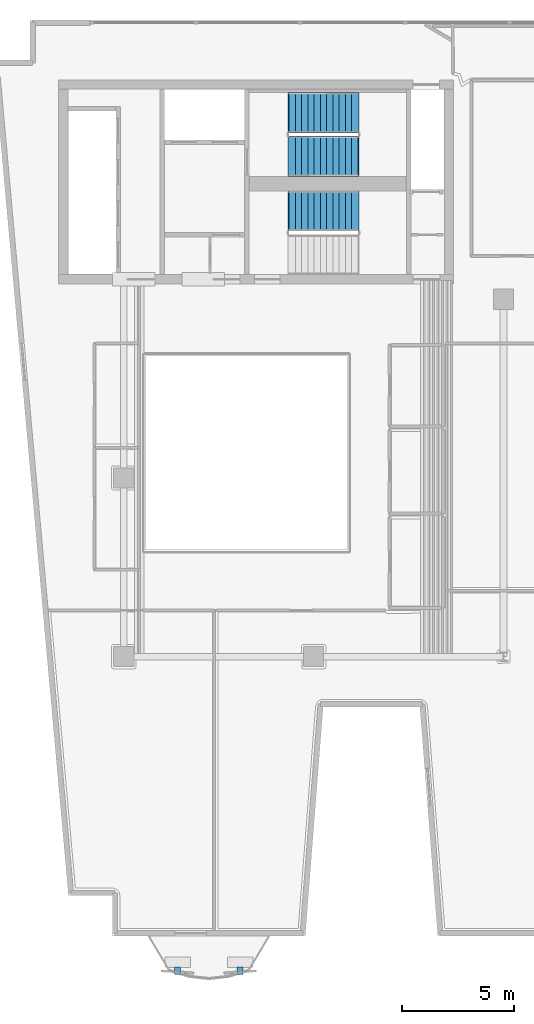
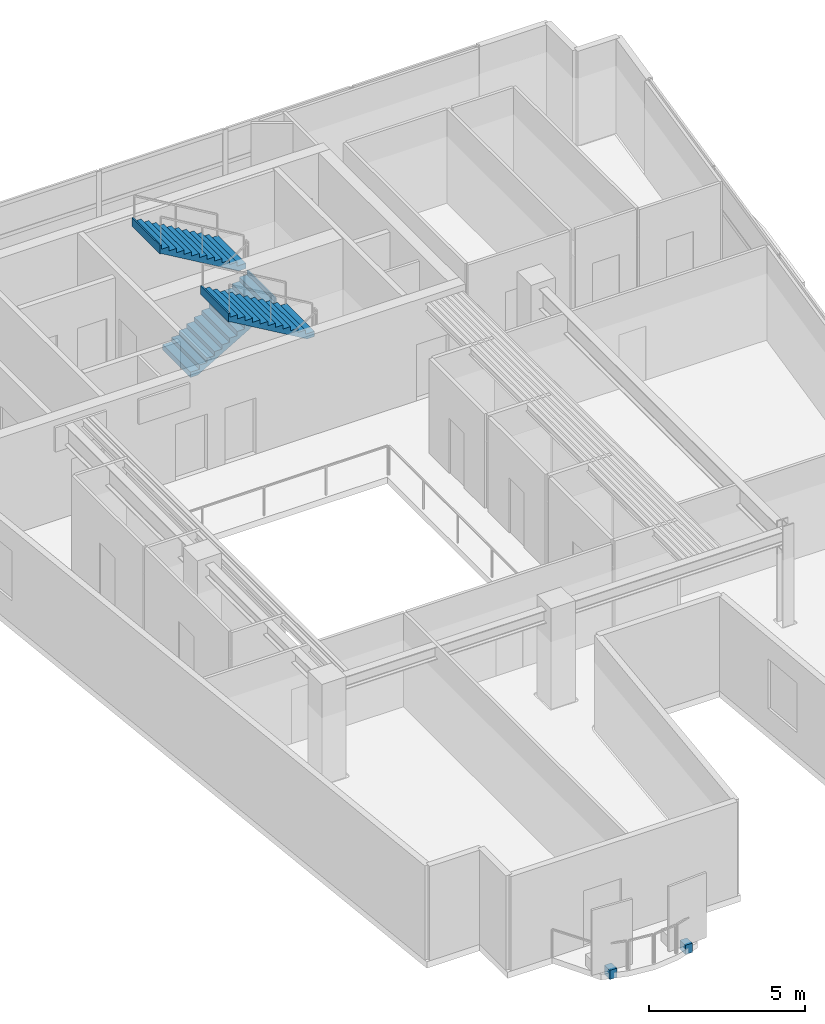
# One storey, part 6 of 8: 3 stair flights, 2 discrete accessories, 2 elements without a shape of their own.
"""IFC4 building model written with IfcOpenShell, lengths in metres."""

from ifc_helpers import new_model, si_unit, direction, frame, origin, origin_2d, place, context, subcontext, project, spatial, polyline, rectangle, outline, extrude, material, type_object, element, aggregate, save


model = new_model("IFC4")

# Units and contexts
model_context = context("Model", 3, precision=1e-05, world=origin(), true_north=direction((0.0, 1.0)))
body_context = subcontext(model_context, "Body", "Model", "MODEL_VIEW")
ifc_project = project(units=[si_unit("LENGTHUNIT", "METRE"), si_unit("AREAUNIT", "SQUARE_METRE"), si_unit("VOLUMEUNIT", "CUBIC_METRE"), si_unit("PLANEANGLEUNIT", "RADIAN"), si_unit("MASSUNIT", "GRAM", prefix="KILO")], contexts=[model_context])

# Site, building, storey
site_placement = place(None, origin())
site = spatial("IfcSite", under=ifc_project, at=site_placement, CompositionType="ELEMENT")
building_placement = place(site_placement, origin())
building = spatial("IfcBuilding", under=site, at=building_placement, Name="Caeloran Harvest Quay", CompositionType="ELEMENT")
storey_placement = place(building_placement, frame((0.0, 0.0, 256.699951171875)))
storey = spatial("IfcBuildingStorey", under=building, at=storey_placement, Name="L61", CompositionType="ELEMENT", Elevation=256.699951171875)

# Stair, stair flights
ifc_material_1 = material(Name="Concrete C50/60", Category="concrete")
stair_type = type_object("IfcStairType", Name="STAIR-STC-180", PredefinedType="HALF_TURN_STAIR", material=ifc_material_1)
stair_1_placement = place(storey_placement, origin())
stair_1 = element("IfcStair", 1, at=stair_1_placement, inside=storey, type_object=stair_type, Name="L61 Core Pressurized Exit Stair ST-C1", PredefinedType="HALF_TURN_STAIR")
stair_flight_type = type_object("IfcStairFlightType", Name="FLIGHT-STC-180", PredefinedType="STRAIGHT", material=ifc_material_1)
stair_flight_1_placement = place(storey_placement, frame((15.89990234375, 37.39990234375, 0.0), z_axis=(0.0, 0.0, 1.0), x_axis=(1.0, 0.0, 0.0)))
stair_flight_1 = element("IfcStairFlight", 2, at=stair_flight_1_placement, type_object=stair_flight_type, Name="ST-C1 flight 1", NumberOfRisers=12, NumberOfTreads=11, PredefinedType="STRAIGHT", RiserHeight=0.164583333, TreadLength=0.28, context=body_context, shape_type="SweptSolid", body=[
    extrude(outline(polyline([(-0.054931640625, -0.044921875), (-0.054931640625, -0.031982421875), (-0.054931640625, -0.018798828125), (-0.054931640625, -0.005615234375), (-0.054931640625, 0.00732421875), (-0.054931640625, 0.0205078125), (-0.054931640625, 0.03369140625), (-0.054931640625, 0.046630859375), (-0.054931640625, 0.059814453125), (-0.054931640625, 0.072998046875), (-0.054931640625, 0.0859375), (-0.054931640625, 0.09912109375), (-0.054931640625, 0.1123046875), (-0.054931640625, 0.125244140625), (-0.054931640625, 0.138427734375), (-0.054931640625, 0.1513671875), (-0.054931640625, 0.16455078125), (0.280029296875, 0.16455078125), (0.280029296875, 0.3291015625), (0.56005859375, 0.3291015625), (0.56005859375, 0.49365234375), (0.840087890625, 0.49365234375), (0.840087890625, 0.658447265625), (1.1201171875, 0.658447265625), (1.1201171875, 0.822998046875), (1.39990234375, 0.822998046875), (1.39990234375, 0.987548828125), (1.679931640625, 0.987548828125), (1.679931640625, 1.152099609375), (1.9599609375, 1.152099609375), (1.9599609375, 1.316650390625), (2.239990234375, 1.316650390625), (2.239990234375, 1.481201171875), (2.52001953125, 1.481201171875), (2.52001953125, 1.645751953125), (2.800048828125, 1.645751953125), (2.800048828125, 1.810302734375), (3.080078125, 1.810302734375), (3.080078125, 1.97509765625), (3.135009765625, 1.97509765625), (3.135009765625, 1.953857421875), (3.135009765625, 1.9326171875), (3.135009765625, 1.91162109375), (3.135009765625, 1.890380859375), (3.135009765625, 1.869140625), (3.135009765625, 1.84814453125), (3.135009765625, 1.826904296875), (3.135009765625, 1.8056640625), (3.135009765625, 1.78466796875), (3.135009765625, 1.763427734375), (3.135009765625, 1.7421875), (3.135009765625, 1.72119140625), (3.135009765625, 1.699951171875), (3.135009765625, 1.678955078125), (3.135009765625, 1.65771484375), (3.135009765625, 1.636474609375), (3.080078125, 1.636474609375), (0.21923828125, -0.044921875), (-0.054931640625, -0.044921875)])), frame((0.0, 0.89990234375, 0.0), z_axis=(0.0, -1.0, 0.0), x_axis=(1.0, 0.0, 0.0)), (0.0, 0.0, 1.0), 1.800048828125),
])
stair_flight_2_placement = place(storey_placement, frame((18.97998046875, 39.35009765625, 1.97509765625), z_axis=(0.0, 0.0, 1.0), x_axis=(-1.0, 0.0, 0.0)))
stair_flight_2 = element("IfcStairFlight", 3, at=stair_flight_2_placement, type_object=stair_flight_type, Name="ST-C1 flight 2", NumberOfRisers=12, NumberOfTreads=11, PredefinedType="STRAIGHT", RiserHeight=0.164583333, TreadLength=0.28, context=body_context, shape_type="SweptSolid", body=[
    extrude(outline(polyline([(-0.054931640625, -0.044921875), (-0.054931640625, -0.031982421875), (-0.054931640625, -0.018798828125), (-0.054931640625, -0.005615234375), (-0.054931640625, 0.00732421875), (-0.054931640625, 0.0205078125), (-0.054931640625, 0.03369140625), (-0.054931640625, 0.046630859375), (-0.054931640625, 0.059814453125), (-0.054931640625, 0.072998046875), (-0.054931640625, 0.0859375), (-0.054931640625, 0.09912109375), (-0.054931640625, 0.1123046875), (-0.054931640625, 0.125244140625), (-0.054931640625, 0.138427734375), (-0.054931640625, 0.1513671875), (-0.054931640625, 0.16455078125), (0.280029296875, 0.16455078125), (0.280029296875, 0.3291015625), (0.56005859375, 0.3291015625), (0.56005859375, 0.49365234375), (0.840087890625, 0.49365234375), (0.840087890625, 0.658447265625), (1.1201171875, 0.658447265625), (1.1201171875, 0.822998046875), (1.39990234375, 0.822998046875), (1.39990234375, 0.987548828125), (1.679931640625, 0.987548828125), (1.679931640625, 1.152099609375), (1.9599609375, 1.152099609375), (1.9599609375, 1.316650390625), (2.239990234375, 1.316650390625), (2.239990234375, 1.481201171875), (2.52001953125, 1.481201171875), (2.52001953125, 1.645751953125), (2.800048828125, 1.645751953125), (2.800048828125, 1.810302734375), (3.080078125, 1.810302734375), (3.080078125, 1.97509765625), (3.135009765625, 1.97509765625), (3.135009765625, 1.953857421875), (3.135009765625, 1.9326171875), (3.135009765625, 1.91162109375), (3.135009765625, 1.890380859375), (3.135009765625, 1.869140625), (3.135009765625, 1.84814453125), (3.135009765625, 1.826904296875), (3.135009765625, 1.8056640625), (3.135009765625, 1.78466796875), (3.135009765625, 1.763427734375), (3.135009765625, 1.7421875), (3.135009765625, 1.72119140625), (3.135009765625, 1.699951171875), (3.135009765625, 1.678955078125), (3.135009765625, 1.65771484375), (3.135009765625, 1.636474609375), (3.080078125, 1.636474609375), (0.21923828125, -0.044921875), (-0.054931640625, -0.044921875)])), frame((0.0, 0.89990234375, 0.0), z_axis=(0.0, -1.0, 0.0), x_axis=(1.0, 0.0, 0.0)), (0.0, 0.0, 1.0), 1.800048828125),
])
aggregate(stair_1, [stair_flight_1, stair_flight_2])

# Stair, stair flight
stair_2_placement = place(storey_placement, origin())
stair_2 = element("IfcStair", 4, at=stair_2_placement, inside=storey, type_object=stair_type, Name="L61 Core Pressurized Exit Stair ST-C2", PredefinedType="HALF_TURN_STAIR")
stair_flight_3_placement = place(storey_placement, frame((18.97998046875, 34.949951171875, 1.97509765625), z_axis=(0.0, 0.0, 1.0), x_axis=(-1.0, 0.0, 0.0)))
stair_flight_3 = element("IfcStairFlight", 5, at=stair_flight_3_placement, type_object=stair_flight_type, Name="ST-C2 flight 2", NumberOfRisers=12, NumberOfTreads=11, PredefinedType="STRAIGHT", RiserHeight=0.164583333, TreadLength=0.28, context=body_context, shape_type="SweptSolid", body=[
    extrude(outline(polyline([(-0.054931640625, -0.044921875), (-0.054931640625, -0.031982421875), (-0.054931640625, -0.018798828125), (-0.054931640625, -0.005615234375), (-0.054931640625, 0.00732421875), (-0.054931640625, 0.0205078125), (-0.054931640625, 0.03369140625), (-0.054931640625, 0.046630859375), (-0.054931640625, 0.059814453125), (-0.054931640625, 0.072998046875), (-0.054931640625, 0.0859375), (-0.054931640625, 0.09912109375), (-0.054931640625, 0.1123046875), (-0.054931640625, 0.125244140625), (-0.054931640625, 0.138427734375), (-0.054931640625, 0.1513671875), (-0.054931640625, 0.16455078125), (0.280029296875, 0.16455078125), (0.280029296875, 0.3291015625), (0.56005859375, 0.3291015625), (0.56005859375, 0.49365234375), (0.840087890625, 0.49365234375), (0.840087890625, 0.658447265625), (1.1201171875, 0.658447265625), (1.1201171875, 0.822998046875), (1.39990234375, 0.822998046875), (1.39990234375, 0.987548828125), (1.679931640625, 0.987548828125), (1.679931640625, 1.152099609375), (1.9599609375, 1.152099609375), (1.9599609375, 1.316650390625), (2.239990234375, 1.316650390625), (2.239990234375, 1.481201171875), (2.52001953125, 1.481201171875), (2.52001953125, 1.645751953125), (2.800048828125, 1.645751953125), (2.800048828125, 1.810302734375), (3.080078125, 1.810302734375), (3.080078125, 1.97509765625), (3.135009765625, 1.97509765625), (3.135009765625, 1.953857421875), (3.135009765625, 1.9326171875), (3.135009765625, 1.91162109375), (3.135009765625, 1.890380859375), (3.135009765625, 1.869140625), (3.135009765625, 1.84814453125), (3.135009765625, 1.826904296875), (3.135009765625, 1.8056640625), (3.135009765625, 1.78466796875), (3.135009765625, 1.763427734375), (3.135009765625, 1.7421875), (3.135009765625, 1.72119140625), (3.135009765625, 1.699951171875), (3.135009765625, 1.678955078125), (3.135009765625, 1.65771484375), (3.135009765625, 1.636474609375), (3.080078125, 1.636474609375), (0.21923828125, -0.044921875), (-0.054931640625, -0.044921875)])), frame((0.0, 0.89990234375, 0.0), z_axis=(0.0, -1.0, 0.0), x_axis=(1.0, 0.0, 0.0)), (0.0, 0.0, 1.0), 1.800048828125),
])
aggregate(stair_2, [stair_flight_3])

# Discrete accessories
ifc_material_2 = material(Name="Stainless Steel Grade 316L", Category="steel")
discrete_accessory_type = type_object("IfcDiscreteAccessoryType", Name="BRACKET-SCREEN-SS", PredefinedType="BRACKET", material=ifc_material_2)
for number, where, z_axis, x_axis, name in (
    (6, (13.708740234375, 0.943603515625, -0.22021484375), (0.0, 0.0, 1.0), (1.0, 0.0, 0.0), "L61 Balcony Screen Support Bracket 1"),
    (7, (10.91015625, 0.943603515625, -0.22021484375), (0.0, 0.0, 1.0), (1.0, 0.0, 0.0), "L61 Balcony Screen Support Bracket 2"),
):
    element("IfcDiscreteAccessory", number, at=place(storey_placement, frame(where, z_axis=z_axis, x_axis=x_axis)), inside=storey, type_object=discrete_accessory_type, Name=name, PredefinedType="BRACKET", context=body_context, shape_type="SweptSolid", body=[
        extrude(rectangle(XDim=0.260009765625, YDim=0.340087890625, at=origin_2d()), origin(), (0.0, 0.0, 1.0), 0.360107421875),
    ])

save(model, "model.ifc")
